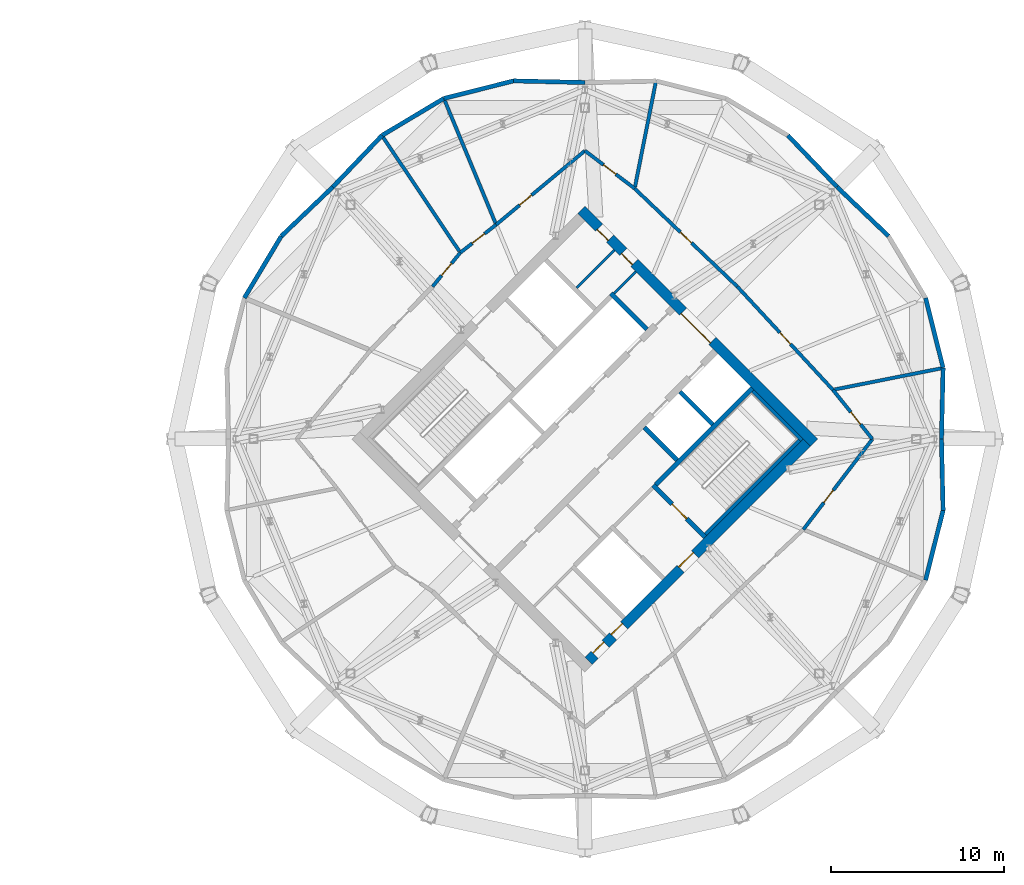
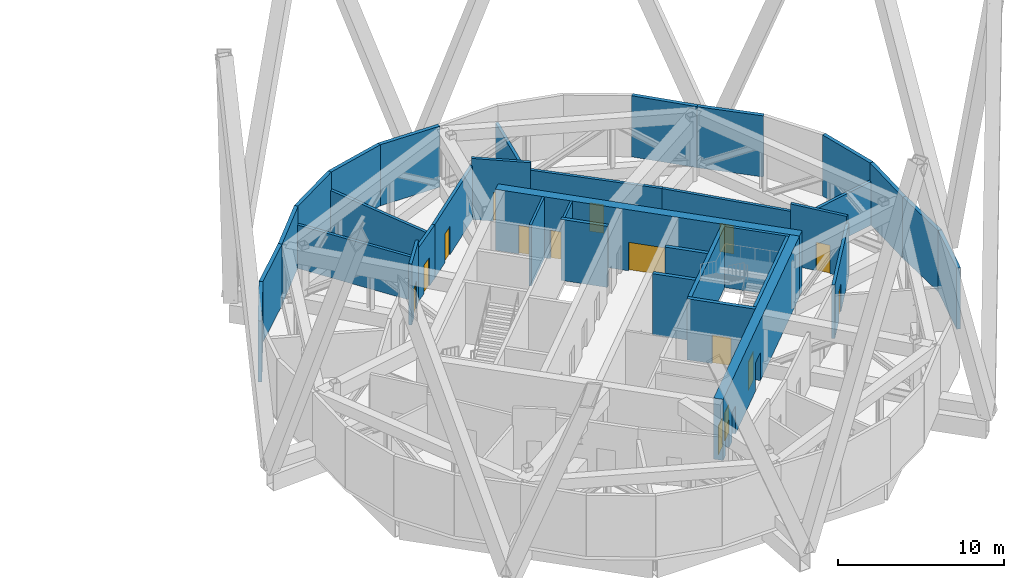
# One storey, part 17 of 19: 35 walls, 15 doors, 15 openings.
"""IFC4 building model written with IfcOpenShell, lengths in metres."""

from ifc_helpers import new_model, si_unit, direction, frame, frame_2d, origin, place, context, subcontext, project, spatial, rectangle, extrude, material, layer, layer_set, type_object, element, fill, save


model = new_model("IFC4")

# Units and contexts
model_context = context("Model", 3, precision=1e-05, world=origin(), true_north=direction((0.0, 1.0)))
body_context = subcontext(model_context, "Body", "Model", "MODEL_VIEW")
ifc_project = project(units=[si_unit("LENGTHUNIT", "METRE"), si_unit("AREAUNIT", "SQUARE_METRE"), si_unit("VOLUMEUNIT", "CUBIC_METRE"), si_unit("PLANEANGLEUNIT", "RADIAN"), si_unit("MASSUNIT", "GRAM", prefix="KILO")], contexts=[model_context])

# Site, building, storey
site_placement = place(None, origin())
site = spatial("IfcSite", under=ifc_project, at=site_placement, CompositionType="ELEMENT")
building_placement = place(site_placement, origin())
building = spatial("IfcBuilding", under=site, at=building_placement, Name="Ogive Gate Towers", CompositionType="ELEMENT")
storey_placement = place(building_placement, frame((0.0, 0.0, 216.300048828125)))
storey = spatial("IfcBuildingStorey", under=building, at=storey_placement, Name="L52", CompositionType="ELEMENT", Elevation=216.300048828125)

# Walls
ifc_material_1 = material(Name="Fire-rated block compartment wall")
ifc_layer_1 = layer(ifc_material_1, 0.199951171875)
ifc_layer_set_1 = layer_set([ifc_layer_1], Name="Compartment wall 200")
wall_type_1 = type_object("IfcWallType", Name="Compartment wall 200", PredefinedType="PARTITIONING", material=ifc_layer_set_1)
wall_1_placement = place(storey_placement, frame((56.685791015625, 4.10595703125, 0.0), z_axis=(0.0, 0.0, 1.0), x_axis=(-0.980862436257, -0.19470203168, 0.0)))
element("IfcWall", 1, at=wall_1_placement, inside=storey, type_object=wall_type_1, Name="Partition T2-L52-001", PredefinedType="PARTITIONING", context=body_context, shape_type="SweptSolid", body=[
    extrude(rectangle(XDim=6.40869140625, YDim=0.199951171875, at=frame_2d((3.204345703125, 0.0))), origin(), (0.0, 0.0, 1.0), 3.199951171875),
])
wall_2_placement = place(storey_placement, frame((40.10595703125, 20.685791015625, 0.0), z_axis=(0.0, 0.0, 1.0), x_axis=(-0.194683174293, -0.980866179276, 0.0)))
element("IfcWall", 2, at=wall_2_placement, inside=storey, type_object=wall_type_1, Name="Partition T2-L52-002", PredefinedType="PARTITIONING", context=body_context, shape_type="SweptSolid", body=[
    extrude(rectangle(XDim=6.259033203125, YDim=0.199951171875, at=frame_2d((3.12939453125, 0.0))), origin(), (0.0, 0.0, 1.0), 3.199951171875),
])
wall_3_placement = place(storey_placement, frame((27.852783203125, 19.66943359375, 0.0), z_axis=(0.0, 0.0, 1.0), x_axis=(0.382669406082, -0.923885342263, 0.0)))
element("IfcWall", 3, at=wall_3_placement, inside=storey, type_object=wall_type_1, Name="Partition T2-L52-003", PredefinedType="PARTITIONING", context=body_context, shape_type="SweptSolid", body=[
    extrude(rectangle(XDim=7.80712890625, YDim=0.199951171875, at=frame_2d((3.903564453125, 0.0))), origin(), (0.0, 0.0, 1.0), 3.199951171875),
])
wall_4_placement = place(storey_placement, frame((24.276123046875, 17.530517578125, 0.0), z_axis=(0.0, 0.0, 1.0), x_axis=(0.555923270382, -0.831233611837, 0.0)))
element("IfcWall", 4, at=wall_4_placement, inside=storey, type_object=wall_type_1, Name="Partition T2-L52-004", PredefinedType="PARTITIONING", context=body_context, shape_type="SweptSolid", body=[
    extrude(rectangle(XDim=8.057373046875, YDim=0.199951171875, at=frame_2d((4.02880859375, 0.0))), origin(), (0.0, 0.0, 1.0), 3.199951171875),
])

# Wall, opening, door
wall_5_placement = place(storey_placement, frame((50.301513671875, 2.8388671875, 0.0), z_axis=(0.0, 0.0, 1.0), x_axis=(-0.679420635556, 0.733749003393, 0.0)))
wall_5 = element("IfcWall", 5, at=wall_5_placement, inside=storey, type_object=wall_type_1, Name="Partition T2-L52-012", PredefinedType="PARTITIONING", context=body_context, shape_type="SweptSolid", body=[
    extrude(rectangle(XDim=8.111328125, YDim=0.199951171875, at=frame_2d((4.0556640625, 0.0))), origin(), (0.0, 0.0, 1.0), 3.949951171875),
])
opening_1_placement = place(wall_5_placement, frame((3.60009765625, 0.0, 0.0)))
opening_1 = element("IfcOpeningElement", 6, at=opening_1_placement, cuts=wall_5, Name="Opening T2-L52-D01", PredefinedType="OPENING", context=body_context, shape_type="SweptSolid", body=[
    extrude(rectangle(XDim=0.89990234375, YDim=2.10009765625, at=frame_2d((0.449951171875, 1.050048828125))), frame((0.0, 0.10986328125, 0.0), z_axis=(0.0, -1.0, 0.0), x_axis=(1.0, 0.0, 0.0)), (0.0, 0.0, 1.0), 0.219970703125),
])
ifc_material_2 = material(Name="Steel fire door", Category="steel")
door_type_1 = type_object("IfcDoorType", Name="Fire door 900 FD30S", OperationType="NOTDEFINED", PredefinedType="DOOR", material=ifc_material_2)
door_1_placement = place(opening_1_placement, origin())
door_1 = element("IfcDoor", 7, at=door_1_placement, inside=storey, type_object=door_type_1, Name="Door T2-L52-D01", OperationType="SINGLE_SWING_RIGHT", OverallHeight=2.10009765625, OverallWidth=0.89990234375, PredefinedType="DOOR", context=body_context, shape_type="SweptSolid", body=[
    extrude(rectangle(XDim=0.89990234375, YDim=2.10009765625, at=frame_2d((0.449951171875, 1.050048828125))), frame((0.0, 0.02490234375, 0.0), z_axis=(0.0, -1.0, 0.0), x_axis=(1.0, 0.0, 0.0)), (0.0, 0.0, 1.0), 0.050048828125),
])
fill(opening_1, door_1)

wall_6_placement = place(storey_placement, frame((44.79052734375, 8.79052734375, 0.0), z_axis=(0.0, 0.0, 1.0), x_axis=(-0.723077366081, 0.690767053833, 0.0)))
wall_6 = element("IfcWall", 8, at=wall_6_placement, inside=storey, type_object=wall_type_1, Name="Partition T2-L52-013", PredefinedType="PARTITIONING", context=body_context, shape_type="SweptSolid", body=[
    extrude(rectangle(XDim=8.19091796875, YDim=0.199951171875, at=frame_2d((4.095458984375, 0.0))), origin(), (0.0, 0.0, 1.0), 3.949951171875),
])
opening_2_placement = place(wall_6_placement, frame((3.64990234375, 0.0, 0.0)))
opening_2 = element("IfcOpeningElement", 9, at=opening_2_placement, cuts=wall_6, Name="Opening T2-L52-D02", PredefinedType="OPENING", context=body_context, shape_type="SweptSolid", body=[
    extrude(rectangle(XDim=0.89990234375, YDim=2.10009765625, at=frame_2d((0.449951171875, 1.050048828125))), frame((0.0, 0.10986328125, 0.0), z_axis=(0.0, -1.0, 0.0), x_axis=(1.0, 0.0, 0.0)), (0.0, 0.0, 1.0), 0.219970703125),
])
door_2_placement = place(opening_2_placement, origin())
door_2 = element("IfcDoor", 10, at=door_2_placement, inside=storey, type_object=door_type_1, Name="Door T2-L52-D02", OperationType="SINGLE_SWING_RIGHT", OverallHeight=2.10009765625, OverallWidth=0.89990234375, PredefinedType="DOOR", context=body_context, shape_type="SweptSolid", body=[
    extrude(rectangle(XDim=0.89990234375, YDim=2.10009765625, at=frame_2d((0.449951171875, 1.050048828125))), frame((0.0, 0.02490234375, 0.0), z_axis=(0.0, -1.0, 0.0), x_axis=(1.0, 0.0, 0.0)), (0.0, 0.0, 1.0), 0.050048828125),
])
fill(opening_2, door_2)

wall_7_placement = place(storey_placement, frame((38.867919921875, 14.448486328125, 0.0), z_axis=(0.0, 0.0, 1.0), x_axis=(-0.795924507262, 0.605395885961, 0.0)))
wall_7 = element("IfcWall", 11, at=wall_7_placement, inside=storey, type_object=wall_type_1, Name="Partition T2-L52-014", PredefinedType="PARTITIONING", context=body_context, shape_type="SweptSolid", body=[
    extrude(rectangle(XDim=3.603271484375, YDim=0.199951171875, at=frame_2d((1.8017578125, 0.0))), origin(), (0.0, 0.0, 1.0), 4.5),
])
opening_3_placement = place(wall_7_placement, frame((1.360107421875, 0.0, 0.0)))
opening_3 = element("IfcOpeningElement", 12, at=opening_3_placement, cuts=wall_7, Name="Opening T2-L52-D03", PredefinedType="OPENING", context=body_context, shape_type="SweptSolid", body=[
    extrude(rectangle(XDim=0.89990234375, YDim=2.10009765625, at=frame_2d((0.449951171875, 1.050048828125))), frame((0.0, 0.10986328125, 0.0), z_axis=(0.0, -1.0, 0.0), x_axis=(1.0, 0.0, 0.0)), (0.0, 0.0, 1.0), 0.219970703125),
])
door_3_placement = place(opening_3_placement, origin())
door_3 = element("IfcDoor", 13, at=door_3_placement, inside=storey, type_object=door_type_1, Name="Door T2-L52-D03", OperationType="SINGLE_SWING_RIGHT", OverallHeight=2.10009765625, OverallWidth=0.89990234375, PredefinedType="DOOR", context=body_context, shape_type="SweptSolid", body=[
    extrude(rectangle(XDim=0.89990234375, YDim=2.10009765625, at=frame_2d((0.449951171875, 1.050048828125))), frame((0.0, 0.02490234375, 0.0), z_axis=(0.0, -1.0, 0.0), x_axis=(1.0, 0.0, 0.0)), (0.0, 0.0, 1.0), 0.050048828125),
])
fill(opening_3, door_3)

wall_8_placement = place(storey_placement, frame((36.0, 16.6298828125, 0.0), z_axis=(0.0, 0.0, 1.0), x_axis=(-0.768362371892, -0.640015050964, 0.0)))
wall_8 = element("IfcWall", 14, at=wall_8_placement, inside=storey, type_object=wall_type_1, Name="Partition T2-L52-015", PredefinedType="PARTITIONING", context=body_context, shape_type="SweptSolid", body=[
    extrude(rectangle(XDim=6.665283203125, YDim=0.199951171875, at=frame_2d((3.33251953125, 0.0))), origin(), (0.0, 0.0, 1.0), 3.949951171875),
])
opening_4_placement = place(wall_8_placement, frame((4.0, 0.0, 0.0)))
opening_4 = element("IfcOpeningElement", 15, at=opening_4_placement, cuts=wall_8, Name="Opening T2-L52-D04", PredefinedType="OPENING", context=body_context, shape_type="SweptSolid", body=[
    extrude(rectangle(XDim=0.89990234375, YDim=2.10009765625, at=frame_2d((0.449951171875, 1.050048828125))), frame((0.0, 0.10986328125, 0.0), z_axis=(0.0, -1.0, 0.0), x_axis=(1.0, 0.0, 0.0)), (0.0, 0.0, 1.0), 0.219970703125),
])
door_4_placement = place(opening_4_placement, origin())
door_4 = element("IfcDoor", 16, at=door_4_placement, inside=storey, type_object=door_type_1, Name="Door T2-L52-D04", OperationType="SINGLE_SWING_LEFT", OverallHeight=2.10009765625, OverallWidth=0.89990234375, PredefinedType="DOOR", context=body_context, shape_type="SweptSolid", body=[
    extrude(rectangle(XDim=0.89990234375, YDim=2.10009765625, at=frame_2d((0.449951171875, 1.050048828125))), frame((0.0, 0.02490234375, 0.0), z_axis=(0.0, -1.0, 0.0), x_axis=(1.0, 0.0, 0.0)), (0.0, 0.0, 1.0), 0.050048828125),
])
fill(opening_4, door_4)

wall_9_placement = place(storey_placement, frame((30.878662109375, 12.364013671875, 0.0), z_axis=(0.0, 0.0, 1.0), x_axis=(-0.788303672178, -0.6152863727, 0.0)))
wall_9 = element("IfcWall", 17, at=wall_9_placement, inside=storey, type_object=wall_type_1, Name="Partition T2-L52-016", PredefinedType="PARTITIONING", context=body_context, shape_type="SweptSolid", body=[
    extrude(rectangle(XDim=2.623291015625, YDim=0.199951171875, at=frame_2d((1.3115234375, 0.0))), origin(), (0.0, 0.0, 1.0), 3.949951171875),
])
opening_5_placement = place(wall_9_placement, frame((0.85009765625, 0.0, 0.0)))
opening_5 = element("IfcOpeningElement", 18, at=opening_5_placement, cuts=wall_9, Name="Opening T2-L52-D05", PredefinedType="OPENING", context=body_context, shape_type="SweptSolid", body=[
    extrude(rectangle(XDim=0.89990234375, YDim=2.10009765625, at=frame_2d((0.449951171875, 1.050048828125))), frame((0.0, 0.10986328125, 0.0), z_axis=(0.0, -1.0, 0.0), x_axis=(1.0, 0.0, 0.0)), (0.0, 0.0, 1.0), 0.219970703125),
])
door_5_placement = place(opening_5_placement, origin())
door_5 = element("IfcDoor", 19, at=door_5_placement, inside=storey, type_object=door_type_1, Name="Door T2-L52-D05", OperationType="SINGLE_SWING_RIGHT", OverallHeight=2.10009765625, OverallWidth=0.89990234375, PredefinedType="DOOR", context=body_context, shape_type="SweptSolid", body=[
    extrude(rectangle(XDim=0.89990234375, YDim=2.10009765625, at=frame_2d((0.449951171875, 1.050048828125))), frame((0.0, 0.02490234375, 0.0), z_axis=(0.0, -1.0, 0.0), x_axis=(1.0, 0.0, 0.0)), (0.0, 0.0, 1.0), 0.050048828125),
])
fill(opening_5, door_5)

wall_10_placement = place(storey_placement, frame((28.810791015625, 10.75, 0.0), z_axis=(0.0, 0.0, 1.0), x_axis=(-0.632791121592, -0.774322540311, 0.0)))
wall_10 = element("IfcWall", 20, at=wall_10_placement, inside=storey, type_object=wall_type_1, Name="Partition T2-L52-017", PredefinedType="PARTITIONING", context=body_context, shape_type="SweptSolid", body=[
    extrude(rectangle(XDim=2.530517578125, YDim=0.199951171875, at=frame_2d((1.26513671875, 0.0))), origin(), (0.0, 0.0, 1.0), 4.5),
])
opening_6_placement = place(wall_10_placement, frame((0.800048828125, 0.0, 0.0)))
opening_6 = element("IfcOpeningElement", 21, at=opening_6_placement, cuts=wall_10, Name="Opening T2-L52-D06", PredefinedType="OPENING", context=body_context, shape_type="SweptSolid", body=[
    extrude(rectangle(XDim=0.89990234375, YDim=2.10009765625, at=frame_2d((0.449951171875, 1.050048828125))), frame((0.0, 0.10986328125, 0.0), z_axis=(0.0, -1.0, 0.0), x_axis=(1.0, 0.0, 0.0)), (0.0, 0.0, 1.0), 0.219970703125),
])
door_6_placement = place(opening_6_placement, origin())
door_6 = element("IfcDoor", 22, at=door_6_placement, inside=storey, type_object=door_type_1, Name="Door T2-L52-D06", OperationType="SINGLE_SWING_RIGHT", OverallHeight=2.10009765625, OverallWidth=0.89990234375, PredefinedType="DOOR", context=body_context, shape_type="SweptSolid", body=[
    extrude(rectangle(XDim=0.89990234375, YDim=2.10009765625, at=frame_2d((0.449951171875, 1.050048828125))), frame((0.0, 0.02490234375, 0.0), z_axis=(0.0, -1.0, 0.0), x_axis=(1.0, 0.0, 0.0)), (0.0, 0.0, 1.0), 0.050048828125),
])
fill(opening_6, door_6)

wall_11_placement = place(storey_placement, frame((48.59521484375, -5.217041015625, 0.0), z_axis=(0.0, 0.0, 1.0), x_axis=(0.607004145992, 0.794698664116, 0.0)))
wall_11 = element("IfcWall", 23, at=wall_11_placement, inside=storey, type_object=wall_type_1, Name="Partition T2-L52-029", PredefinedType="PARTITIONING", context=body_context, shape_type="SweptSolid", body=[
    extrude(rectangle(XDim=6.564697265625, YDim=0.199951171875, at=frame_2d((3.2822265625, 0.0))), origin(), (0.0, 0.0, 1.0), 3.949951171875),
])
opening_7_placement = place(wall_11_placement, frame((1.949951171875, 0.0, 0.0)))
opening_7 = element("IfcOpeningElement", 24, at=opening_7_placement, cuts=wall_11, Name="Opening T2-L52-D18", PredefinedType="OPENING", context=body_context, shape_type="SweptSolid", body=[
    extrude(rectangle(XDim=0.89990234375, YDim=2.10009765625, at=frame_2d((0.449951171875, 1.050048828125))), frame((0.0, 0.10986328125, 0.0), z_axis=(0.0, -1.0, 0.0), x_axis=(1.0, 0.0, 0.0)), (0.0, 0.0, 1.0), 0.219970703125),
])
door_7_placement = place(opening_7_placement, origin())
door_7 = element("IfcDoor", 25, at=door_7_placement, inside=storey, type_object=door_type_1, Name="Door T2-L52-D18", OperationType="SINGLE_SWING_LEFT", OverallHeight=2.10009765625, OverallWidth=0.89990234375, PredefinedType="DOOR", context=body_context, shape_type="SweptSolid", body=[
    extrude(rectangle(XDim=0.89990234375, YDim=2.10009765625, at=frame_2d((0.449951171875, 1.050048828125))), frame((0.0, 0.02490234375, 0.0), z_axis=(0.0, -1.0, 0.0), x_axis=(1.0, 0.0, 0.0)), (0.0, 0.0, 1.0), 0.050048828125),
])
fill(opening_7, door_7)

wall_12_placement = place(storey_placement, frame((52.580078125, 0.0, 0.0), z_axis=(0.0, 0.0, 1.0), x_axis=(-0.625945636097, 0.779866694154, 0.0)))
wall_12 = element("IfcWall", 26, at=wall_12_placement, inside=storey, type_object=wall_type_1, Name="Partition T2-L52-030", PredefinedType="PARTITIONING", context=body_context, shape_type="SweptSolid", body=[
    extrude(rectangle(XDim=3.64013671875, YDim=0.199951171875, at=frame_2d((1.820068359375, 0.0))), origin(), (0.0, 0.0, 1.0), 4.5),
])
opening_8_placement = place(wall_12_placement, frame((1.089111328125, 0.0, 0.0)))
opening_8 = element("IfcOpeningElement", 27, at=opening_8_placement, cuts=wall_12, Name="Opening T2-L52-D19", PredefinedType="OPENING", context=body_context, shape_type="SweptSolid", body=[
    extrude(rectangle(XDim=0.89990234375, YDim=2.10009765625, at=frame_2d((0.449951171875, 1.050048828125))), frame((0.0, 0.10986328125, 0.0), z_axis=(0.0, -1.0, 0.0), x_axis=(1.0, 0.0, 0.0)), (0.0, 0.0, 1.0), 0.219970703125),
])
door_8_placement = place(opening_8_placement, origin())
door_8 = element("IfcDoor", 28, at=door_8_placement, inside=storey, type_object=door_type_1, Name="Door T2-L52-D19", OperationType="SINGLE_SWING_LEFT", OverallHeight=2.10009765625, OverallWidth=0.89990234375, PredefinedType="DOOR", context=body_context, shape_type="SweptSolid", body=[
    extrude(rectangle(XDim=0.89990234375, YDim=2.10009765625, at=frame_2d((0.449951171875, 1.050048828125))), frame((0.0, 0.02490234375, 0.0), z_axis=(0.0, -1.0, 0.0), x_axis=(1.0, 0.0, 0.0)), (0.0, 0.0, 1.0), 0.050048828125),
])
fill(opening_8, door_8)

# Wall, openings, doors
ifc_material_3 = material(Name="Concrete C60/75", Category="concrete")
ifc_layer_2 = layer(ifc_material_3, 0.60009765625)
ifc_layer_set_2 = layer_set([ifc_layer_2], Name="Core wall 600 mm")
wall_type_2 = type_object("IfcWallType", Name="Core wall 600 mm", PredefinedType="SHEAR", material=ifc_layer_set_2)
wall_13_placement = place(storey_placement, frame((36.212158203125, -12.798583984375, 0.0), z_axis=(0.0, 0.0, 1.0), x_axis=(0.707106781187, 0.707106781187, 0.0)))
wall_13 = element("IfcWall", 29, at=wall_13_placement, inside=storey, type_object=wall_type_2, Name="T2 L52 Core wall 600 mm", PredefinedType="SHEAR", context=body_context, shape_type="SweptSolid", body=[
    extrude(rectangle(XDim=17.7998046875, YDim=0.60009765625, at=frame_2d((8.89990234375, 0.0))), origin(), (0.0, 0.0, 1.0), 4.5),
])
opening_9_placement = place(wall_13_placement, frame((7.5, 0.0, 0.0)))
opening_9 = element("IfcOpeningElement", 30, at=opening_9_placement, cuts=wall_13, Name="Opening KD-T2-L52-19", PredefinedType="OPENING", context=body_context, shape_type="SweptSolid", body=[
    extrude(rectangle(XDim=1.199951171875, YDim=2.10009765625, at=frame_2d((0.60009765625, 1.050048828125))), frame((0.0, 0.31005859375, 0.0), z_axis=(0.0, -1.0, 0.0), x_axis=(1.0, 0.0, 0.0)), (0.0, 0.0, 1.0), 0.6201171875),
])
opening_10_placement = place(wall_13_placement, frame((0.5, 0.0, 0.0)))
opening_10 = element("IfcOpeningElement", 31, at=opening_10_placement, cuts=wall_13, Name="Opening KD-T2-L52-22", PredefinedType="OPENING", context=body_context, shape_type="SweptSolid", body=[
    extrude(rectangle(XDim=0.89990234375, YDim=2.10009765625, at=frame_2d((0.449951171875, 1.050048828125))), frame((0.0, 0.31005859375, 0.0), z_axis=(0.0, -1.0, 0.0), x_axis=(1.0, 0.0, 0.0)), (0.0, 0.0, 1.0), 0.6201171875),
])
opening_11_placement = place(wall_13_placement, frame((2.0, 0.0, 0.0)))
opening_11 = element("IfcOpeningElement", 32, at=opening_11_placement, cuts=wall_13, Name="Opening KD-T2-L52-23", PredefinedType="OPENING", context=body_context, shape_type="SweptSolid", body=[
    extrude(rectangle(XDim=0.89990234375, YDim=2.10009765625, at=frame_2d((0.449951171875, 1.050048828125))), frame((0.0, 0.31005859375, 0.0), z_axis=(0.0, -1.0, 0.0), x_axis=(1.0, 0.0, 0.0)), (0.0, 0.0, 1.0), 0.6201171875),
])
door_type_2 = type_object("IfcDoorType", Name="Core door FD60S 1200 x 2100", OperationType="NOTDEFINED", PredefinedType="DOOR", material=ifc_material_2)
door_9_placement = place(opening_9_placement, origin())
door_9 = element("IfcDoor", 33, at=door_9_placement, inside=storey, type_object=door_type_2, Name="T2 L52 Fire-fighting lobby door", OperationType="SINGLE_SWING_RIGHT", OverallHeight=2.10009765625, OverallWidth=1.199951171875, PredefinedType="DOOR", context=body_context, shape_type="SweptSolid", body=[
    extrude(rectangle(XDim=1.199951171875, YDim=2.10009765625, at=frame_2d((0.60009765625, 1.050048828125))), frame((0.0, 0.1748046875, 0.0), z_axis=(0.0, -1.0, 0.0), x_axis=(1.0, 0.0, 0.0)), (0.0, 0.0, 1.0), 0.050048828125),
])
fill(opening_9, door_9)
door_type_3 = type_object("IfcDoorType", Name="Core door FD60S 900 x 2100", OperationType="NOTDEFINED", PredefinedType="DOOR", material=ifc_material_2)
door_10_placement = place(opening_10_placement, origin())
door_10 = element("IfcDoor", 34, at=door_10_placement, inside=storey, type_object=door_type_3, Name="T2 L52 Core door", OperationType="SINGLE_SWING_LEFT", OverallHeight=2.10009765625, OverallWidth=0.89990234375, PredefinedType="DOOR", context=body_context, shape_type="SweptSolid", body=[
    extrude(rectangle(XDim=0.89990234375, YDim=2.10009765625, at=frame_2d((0.449951171875, 1.050048828125))), frame((0.0, 0.1748046875, 0.0), z_axis=(0.0, -1.0, 0.0), x_axis=(1.0, 0.0, 0.0)), (0.0, 0.0, 1.0), 0.050048828125),
])
fill(opening_10, door_10)
door_11_placement = place(opening_11_placement, origin())
door_11 = element("IfcDoor", 35, at=door_11_placement, inside=storey, type_object=door_type_3, Name="T2 L52 Core door", OperationType="SINGLE_SWING_RIGHT", OverallHeight=2.10009765625, OverallWidth=0.89990234375, PredefinedType="DOOR", context=body_context, shape_type="SweptSolid", body=[
    extrude(rectangle(XDim=0.89990234375, YDim=2.10009765625, at=frame_2d((0.449951171875, 1.050048828125))), frame((0.0, 0.1748046875, 0.0), z_axis=(0.0, -1.0, 0.0), x_axis=(1.0, 0.0, 0.0)), (0.0, 0.0, 1.0), 0.050048828125),
])
fill(opening_11, door_11)

wall_14_placement = place(storey_placement, frame((49.222900390625, -0.212158203125, 0.0), z_axis=(0.0, 0.0, 1.0), x_axis=(-0.707106781187, 0.707106781187, 0.0)))
wall_14 = element("IfcWall", 36, at=wall_14_placement, inside=storey, type_object=wall_type_2, Name="T2 L52 Core wall 600 mm", PredefinedType="SHEAR", context=body_context, shape_type="SweptSolid", body=[
    extrude(rectangle(XDim=19.0, YDim=0.60009765625, at=frame_2d((9.5, 0.0))), origin(), (0.0, 0.0, 1.0), 4.5),
])
opening_12_placement = place(wall_14_placement, frame((8.300048828125, 0.0, 0.0)))
opening_12 = element("IfcOpeningElement", 37, at=opening_12_placement, cuts=wall_14, Name="Opening KD-T2-L52-02", PredefinedType="OPENING", context=body_context, shape_type="SweptSolid", body=[
    extrude(rectangle(XDim=2.39990234375, YDim=2.10009765625, at=frame_2d((1.199951171875, 1.050048828125))), frame((0.0, 0.31005859375, 0.0), z_axis=(0.0, -1.0, 0.0), x_axis=(1.0, 0.0, 0.0)), (0.0, 0.0, 1.0), 0.6201171875),
])
opening_13_placement = place(wall_14_placement, frame((14.675048828125, 0.0, 0.0)))
opening_13 = element("IfcOpeningElement", 38, at=opening_13_placement, cuts=wall_14, Name="Opening KD-T2-L52-20", PredefinedType="OPENING", context=body_context, shape_type="SweptSolid", body=[
    extrude(rectangle(XDim=0.89990234375, YDim=2.10009765625, at=frame_2d((0.449951171875, 1.050048828125))), frame((0.0, 0.31005859375, 0.0), z_axis=(0.0, -1.0, 0.0), x_axis=(1.0, 0.0, 0.0)), (0.0, 0.0, 1.0), 0.6201171875),
])
opening_14_placement = place(wall_14_placement, frame((16.64990234375, 0.0, 0.0)))
opening_14 = element("IfcOpeningElement", 39, at=opening_14_placement, cuts=wall_14, Name="Opening KD-T2-L52-21", PredefinedType="OPENING", context=body_context, shape_type="SweptSolid", body=[
    extrude(rectangle(XDim=0.89990234375, YDim=2.10009765625, at=frame_2d((0.449951171875, 1.050048828125))), frame((0.0, 0.31005859375, 0.0), z_axis=(0.0, -1.0, 0.0), x_axis=(1.0, 0.0, 0.0)), (0.0, 0.0, 1.0), 0.6201171875),
])
door_12_placement = place(opening_13_placement, origin())
door_12 = element("IfcDoor", 40, at=door_12_placement, inside=storey, type_object=door_type_3, Name="T2 L52 Core door", OperationType="SINGLE_SWING_LEFT", OverallHeight=2.10009765625, OverallWidth=0.89990234375, PredefinedType="DOOR", context=body_context, shape_type="SweptSolid", body=[
    extrude(rectangle(XDim=0.89990234375, YDim=2.10009765625, at=frame_2d((0.449951171875, 1.050048828125))), frame((0.0, 0.1748046875, 0.0), z_axis=(0.0, -1.0, 0.0), x_axis=(1.0, 0.0, 0.0)), (0.0, 0.0, 1.0), 0.050048828125),
])
fill(opening_13, door_12)
door_13_placement = place(opening_14_placement, origin())
door_13 = element("IfcDoor", 41, at=door_13_placement, inside=storey, type_object=door_type_3, Name="T2 L52 Core door", OperationType="SINGLE_SWING_RIGHT", OverallHeight=2.10009765625, OverallWidth=0.89990234375, PredefinedType="DOOR", context=body_context, shape_type="SweptSolid", body=[
    extrude(rectangle(XDim=0.89990234375, YDim=2.10009765625, at=frame_2d((0.449951171875, 1.050048828125))), frame((0.0, 0.1748046875, 0.0), z_axis=(0.0, -1.0, 0.0), x_axis=(1.0, 0.0, 0.0)), (0.0, 0.0, 1.0), 0.050048828125),
])
fill(opening_14, door_13)
door_type_4 = type_object("IfcDoorType", Name="Core double door FD60S 2400 x 2100", OperationType="DOUBLE_DOOR_SINGLE_SWING", PredefinedType="DOOR", material=ifc_material_2)
door_14_placement = place(opening_12_placement, origin())
door_14 = element("IfcDoor", 42, at=door_14_placement, inside=storey, type_object=door_type_4, Name="T2 L52 Core door double", OperationType="DOUBLE_DOOR_SINGLE_SWING", OverallHeight=2.10009765625, OverallWidth=2.39990234375, PredefinedType="DOOR", context=body_context, shape_type="SweptSolid", body=[
    extrude(rectangle(XDim=2.39990234375, YDim=2.10009765625, at=frame_2d((1.199951171875, 1.050048828125))), frame((0.0, 0.1748046875, 0.0), z_axis=(0.0, -1.0, 0.0), x_axis=(1.0, 0.0, 0.0)), (0.0, 0.0, 1.0), 0.050048828125),
])
fill(opening_12, door_14)

# Walls
ifc_material_4 = material(Name="Pale metal aluminium louvre", Category="aluminium")
ifc_layer_3 = layer(ifc_material_4, 0.25)
ifc_layer_set_3 = layer_set([ifc_layer_3], Name="Plant louvre wall")
wall_type_3 = type_object("IfcWallType", Name="Plant louvre wall", PredefinedType="SOLIDWALL", material=ifc_layer_set_3)
wall_15_placement = place(storey_placement, frame((56.56494140625, 0.0, 0.0), z_axis=(0.0, 0.0, 1.0), x_axis=(0.02303289986, 0.999734707572, 0.0)))
element("IfcWall", 43, at=wall_15_placement, inside=storey, type_object=wall_type_3, Name="Plant louvre wall", PredefinedType="SOLIDWALL", context=body_context, shape_type="SweptSolid", body=[
    extrude(rectangle(XDim=4.112548828125, YDim=0.25, at=frame_2d((2.05615234375, 0.0))), origin(), (0.0, 0.0, 1.0), 4.5),
])
wall_16_placement = place(storey_placement, frame((56.65966796875, 4.111572265625, 0.0), z_axis=(0.0, 0.0, 1.0), x_axis=(-0.244154126363, 0.969736439751, 0.0)))
element("IfcWall", 44, at=wall_16_placement, inside=storey, type_object=wall_type_3, Name="Plant louvre wall", PredefinedType="SOLIDWALL", context=body_context, shape_type="SweptSolid", body=[
    extrude(rectangle(XDim=4.15185546875, YDim=0.25, at=frame_2d((2.075927734375, 0.0))), origin(), (0.0, 0.0, 1.0), 4.5),
])
for number, where, z_axis, x_axis, name in (
    (45, (53.51611328125, 11.701171875, 0.0), (0.0, 0.0, 1.0), (-0.723242333283, 0.690594329072, 0.0), "Plant louvre wall"),
    (46, (50.54150390625, 14.54150390625, 0.0), (0.0, 0.0, 1.0), (-0.690594329072, 0.723242333283, 0.0), "Plant louvre wall"),
):
    element("IfcWall", number, at=place(storey_placement, frame(where, z_axis=z_axis, x_axis=x_axis)), inside=storey, type_object=wall_type_3, Name=name, PredefinedType="SOLIDWALL", context=body_context, shape_type="SweptSolid", body=[
        extrude(rectangle(XDim=4.11279296875, YDim=0.25, at=frame_2d((2.056396484375, 0.0))), origin(), (0.0, 0.0, 1.0), 4.5),
    ])
wall_17_placement = place(storey_placement, frame((36.0, 20.56494140625, 0.0), z_axis=(0.0, 0.0, 1.0), x_axis=(-0.999734707572, 0.02303289986, 0.0)))
element("IfcWall", 47, at=wall_17_placement, inside=storey, type_object=wall_type_3, Name="Plant louvre wall", PredefinedType="SOLIDWALL", context=body_context, shape_type="SweptSolid", body=[
    extrude(rectangle(XDim=4.112548828125, YDim=0.25, at=frame_2d((2.05615234375, 0.0))), origin(), (0.0, 0.0, 1.0), 4.5),
])
wall_18_placement = place(storey_placement, frame((31.888427734375, 20.65966796875, 0.0), z_axis=(0.0, 0.0, 1.0), x_axis=(-0.969736439751, -0.244154126363, 0.0)))
element("IfcWall", 48, at=wall_18_placement, inside=storey, type_object=wall_type_3, Name="Plant louvre wall", PredefinedType="SOLIDWALL", context=body_context, shape_type="SweptSolid", body=[
    extrude(rectangle(XDim=4.15185546875, YDim=0.25, at=frame_2d((2.075927734375, 0.0))), origin(), (0.0, 0.0, 1.0), 4.5),
])
wall_19_placement = place(storey_placement, frame((27.8623046875, 19.64599609375, 0.0), z_axis=(0.0, 0.0, 1.0), x_axis=(-0.858363438852, -0.513042110204, 0.0)))
element("IfcWall", 49, at=wall_19_placement, inside=storey, type_object=wall_type_3, Name="Plant louvre wall", PredefinedType="SOLIDWALL", context=body_context, shape_type="SweptSolid", body=[
    extrude(rectangle(XDim=4.1513671875, YDim=0.25, at=frame_2d((2.07568359375, 0.0))), origin(), (0.0, 0.0, 1.0), 4.5),
])
for number, where, z_axis, x_axis, name in (
    (50, (24.298828125, 17.51611328125, 0.0), (0.0, 0.0, 1.0), (-0.690594329072, -0.723242333283, 0.0), "Plant louvre wall"),
    (51, (21.45849609375, 14.54150390625, 0.0), (0.0, 0.0, 1.0), (-0.723242333283, -0.690594329072, 0.0), "Plant louvre wall"),
):
    element("IfcWall", number, at=place(storey_placement, frame(where, z_axis=z_axis, x_axis=x_axis)), inside=storey, type_object=wall_type_3, Name=name, PredefinedType="SOLIDWALL", context=body_context, shape_type="SweptSolid", body=[
        extrude(rectangle(XDim=4.11279296875, YDim=0.25, at=frame_2d((2.056396484375, 0.0))), origin(), (0.0, 0.0, 1.0), 4.5),
    ])
wall_20_placement = place(storey_placement, frame((18.48388671875, 11.701171875, 0.0), z_axis=(0.0, 0.0, 1.0), x_axis=(-0.513042110204, -0.858363438852, 0.0)))
element("IfcWall", 52, at=wall_20_placement, inside=storey, type_object=wall_type_3, Name="Plant louvre wall", PredefinedType="SOLIDWALL", context=body_context, shape_type="SweptSolid", body=[
    extrude(rectangle(XDim=4.1513671875, YDim=0.25, at=frame_2d((2.07568359375, 0.0))), origin(), (0.0, 0.0, 1.0), 4.5),
])
wall_21_placement = place(storey_placement, frame((55.64599609375, -8.1376953125, 0.0), z_axis=(0.0, 0.0, 1.0), x_axis=(0.244154126363, 0.969736439751, 0.0)))
element("IfcWall", 53, at=wall_21_placement, inside=storey, type_object=wall_type_3, Name="Plant louvre wall", PredefinedType="SOLIDWALL", context=body_context, shape_type="SweptSolid", body=[
    extrude(rectangle(XDim=4.15185546875, YDim=0.25, at=frame_2d((2.075927734375, 0.0))), origin(), (0.0, 0.0, 1.0), 4.5),
])
wall_22_placement = place(storey_placement, frame((56.65966796875, -4.111572265625, 0.0), z_axis=(0.0, 0.0, 1.0), x_axis=(-0.02303289986, 0.999734707572, 0.0)))
element("IfcWall", 54, at=wall_22_placement, inside=storey, type_object=wall_type_3, Name="Plant louvre wall", PredefinedType="SOLIDWALL", context=body_context, shape_type="SweptSolid", body=[
    extrude(rectangle(XDim=4.112548828125, YDim=0.25, at=frame_2d((2.05615234375, 0.0))), origin(), (0.0, 0.0, 1.0), 4.5),
])
ifc_material_5 = material(Name="Gypsum board partition")
ifc_layer_4 = layer(ifc_material_5, 0.14990234375)
ifc_layer_set_4 = layer_set([ifc_layer_4], Name="Room partition 150 mm")
wall_type_4 = type_object("IfcWallType", Name="Room partition 150 mm", PredefinedType="PARTITIONING", material=ifc_layer_set_4)
wall_23_placement = place(storey_placement, frame((37.679443359375, 8.39697265625, 0.0), z_axis=(0.0, 0.0, 1.0), x_axis=(0.707106781187, 0.707106781187, 0.0)))
element("IfcWall", 55, at=wall_23_placement, inside=storey, type_object=wall_type_4, Name="T2 L52 Room partition 150 mm", PredefinedType="PARTITIONING", context=body_context, shape_type="SweptSolid", body=[
    extrude(rectangle(XDim=1.77490234375, YDim=0.14990234375, at=frame_2d((0.887451171875, 0.0))), origin(), (0.0, 0.0, 1.0), 4.5),
])
wall_24_placement = place(storey_placement, frame((35.522705078125, 8.715087890625, 0.0), z_axis=(0.0, 0.0, 1.0), x_axis=(0.707106781187, 0.707106781187, 0.0)))
element("IfcWall", 56, at=wall_24_placement, inside=storey, type_object=wall_type_4, Name="T2 L52 Room partition 150 mm", PredefinedType="PARTITIONING", context=body_context, shape_type="SweptSolid", body=[
    extrude(rectangle(XDim=3.074951171875, YDim=0.14990234375, at=frame_2d((1.53759765625, 0.0))), origin(), (0.0, 0.0, 1.0), 4.5),
])
ifc_layer_5 = layer(ifc_material_3, 0.25)
ifc_layer_set_5 = layer_set([ifc_layer_5], Name="Shaft wall 250 mm")
wall_type_5 = type_object("IfcWallType", Name="Shaft wall 250 mm", PredefinedType="SHEAR", material=ifc_layer_set_5)
wall_25_placement = place(storey_placement, frame((40.08349609375, -2.634033203125, 0.0), z_axis=(0.0, 0.0, 1.0), x_axis=(0.707106781187, 0.707106781187, 0.0)))
element("IfcWall", 57, at=wall_25_placement, inside=storey, type_object=wall_type_5, Name="T2 L52 Shaft wall 250 mm", PredefinedType="SHEAR", context=body_context, shape_type="SweptSolid", body=[
    extrude(rectangle(XDim=7.875244140625, YDim=0.25, at=frame_2d((3.9375, 0.0))), origin(), (0.0, 0.0, 1.0), 4.5),
])

# Wall, opening, door
wall_26_placement = place(storey_placement, frame((42.9296875, -5.656982421875, 0.0), z_axis=(0.0, 0.0, 1.0), x_axis=(-0.707106781187, 0.707106781187, 0.0)))
wall_26 = element("IfcWall", 58, at=wall_26_placement, inside=storey, type_object=wall_type_5, Name="T2 L52 Shaft wall 250 mm", PredefinedType="SHEAR", context=body_context, shape_type="SweptSolid", body=[
    extrude(rectangle(XDim=4.250244140625, YDim=0.25, at=frame_2d((2.125, 0.0))), origin(), (0.0, 0.0, 1.0), 4.5),
])
opening_15_placement = place(wall_26_placement, frame((1.5, 0.0, 0.0)))
opening_15 = element("IfcOpeningElement", 59, at=opening_15_placement, cuts=wall_26, Name="Opening KD-T2-L52-17", PredefinedType="OPENING", context=body_context, shape_type="SweptSolid", body=[
    extrude(rectangle(XDim=1.199951171875, YDim=2.10009765625, at=frame_2d((0.60009765625, 1.050048828125))), frame((0.0, 0.135009765625, 0.0), z_axis=(0.0, -1.0, 0.0), x_axis=(1.0, 0.0, 0.0)), (0.0, 0.0, 1.0), 0.27001953125),
])
door_15_placement = place(opening_15_placement, origin())
door_15 = element("IfcDoor", 60, at=door_15_placement, inside=storey, type_object=door_type_2, Name="T2 L52 Stair door", OperationType="SINGLE_SWING_RIGHT", OverallHeight=2.10009765625, OverallWidth=1.199951171875, PredefinedType="DOOR", context=body_context, shape_type="SweptSolid", body=[
    extrude(rectangle(XDim=1.199951171875, YDim=2.10009765625, at=frame_2d((0.60009765625, 1.050048828125))), frame((0.0, 0.02490234375, 0.0), z_axis=(0.0, -1.0, 0.0), x_axis=(1.0, 0.0, 0.0)), (0.0, 0.0, 1.0), 0.050048828125),
])
fill(opening_15, door_15)

# Walls
for number, where, z_axis, x_axis, name in (
    (61, (41.321044921875, -1.2197265625, 0.0), (0.0, 0.0, 1.0), (-0.707106781187, 0.707106781187, 0.0), "T2 L52 Shaft wall 250 mm"),
    (62, (43.37158203125, 0.830810546875, 0.0), (0.0, 0.0, 1.0), (-0.707106781187, 0.707106781187, 0.0), "T2 L52 Shaft wall 250 mm"),
):
    element("IfcWall", number, at=place(storey_placement, frame(where, z_axis=z_axis, x_axis=x_axis)), inside=storey, type_object=wall_type_5, Name=name, PredefinedType="SHEAR", context=body_context, shape_type="SweptSolid", body=[
        extrude(rectangle(XDim=2.675048828125, YDim=0.25, at=frame_2d((1.33740234375, 0.0))), origin(), (0.0, 0.0, 1.0), 4.5),
    ])
wall_27_placement = place(storey_placement, frame((39.57080078125, 6.32861328125, 0.0), z_axis=(0.0, 0.0, 1.0), x_axis=(-0.707065045505, 0.707148514405, 0.0)))
element("IfcWall", 63, at=wall_27_placement, inside=storey, type_object=wall_type_5, Name="T2 L52 Shaft wall 250 mm", PredefinedType="SHEAR", context=body_context, shape_type="SweptSolid", body=[
    extrude(rectangle(XDim=2.925048828125, YDim=0.25, at=frame_2d((1.46240234375, 0.0))), origin(), (0.0, 0.0, 1.0), 4.5),
])
ifc_layer_6 = layer(ifc_material_3, 0.199951171875)
ifc_layer_set_6 = layer_set([ifc_layer_6], Name="Stair wall 200 mm")
wall_type_6 = type_object("IfcWallType", Name="Stair wall 200 mm", PredefinedType="SHEAR", material=ifc_layer_set_6)
wall_28_placement = place(storey_placement, frame((42.947265625, -5.497802734375, 0.0), z_axis=(0.0, 0.0, 1.0), x_axis=(0.707122685701, 0.707090876314, 0.0)))
element("IfcWall", 64, at=wall_28_placement, inside=storey, type_object=wall_type_6, Name="T2 L52 Stair wall 200 mm", PredefinedType="SHEAR", context=body_context, shape_type="SweptSolid", body=[
    extrude(rectangle(XDim=7.675048828125, YDim=0.199951171875, at=frame_2d((3.83740234375, 0.0))), origin(), (0.0, 0.0, 1.0), 4.5),
])
wall_29_placement = place(storey_placement, frame((48.515869140625, -0.07080078125, 0.0), z_axis=(0.0, 0.0, 1.0), x_axis=(-0.707106781187, 0.707106781187, 0.0)))
element("IfcWall", 65, at=wall_29_placement, inside=storey, type_object=wall_type_6, Name="T2 L52 Stair wall 200 mm", PredefinedType="SHEAR", context=body_context, shape_type="SweptSolid", body=[
    extrude(rectangle(XDim=4.025146484375, YDim=0.199951171875, at=frame_2d((2.0126953125, 0.0))), origin(), (0.0, 0.0, 1.0), 4.5),
])

save(model, "model.ifc")
